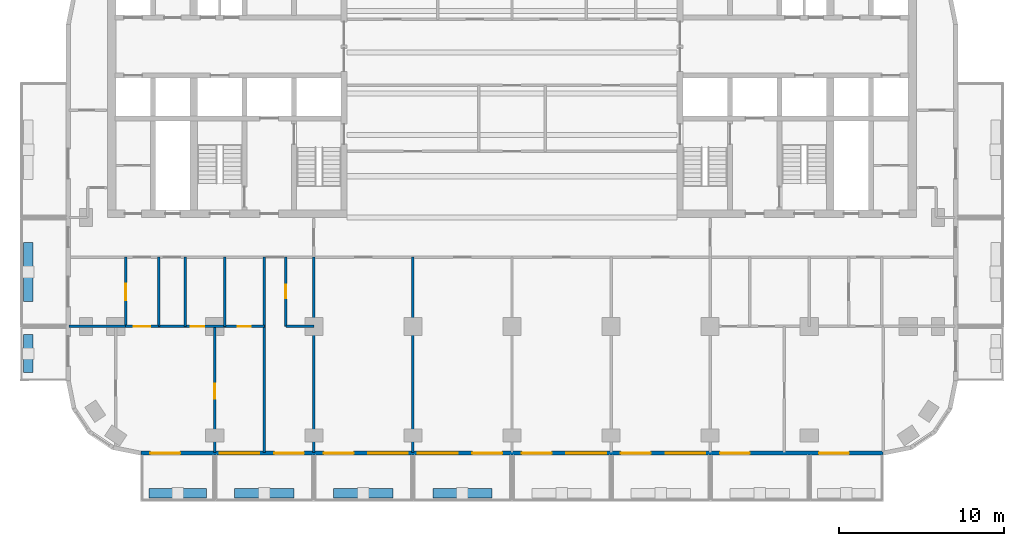
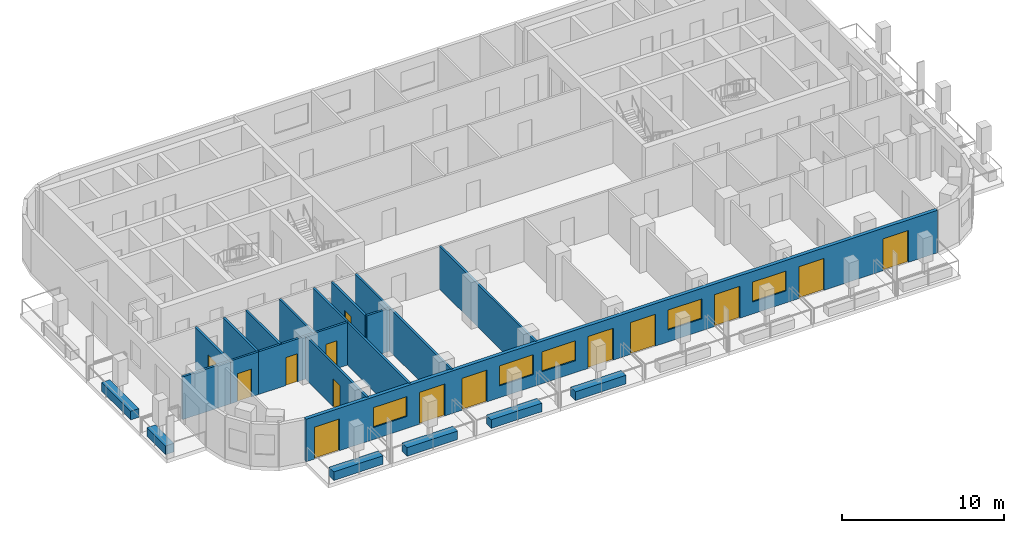
# One storey, part 2 of 11: 20 walls, 14 doors, 5 windows, 19 openings.
"""IFC4 building model written with IfcOpenShell, lengths in metres."""

from ifc_helpers import new_model, si_unit, direction, frame, frame_2d, origin, place, context, subcontext, project, spatial, rectangle, extrude, material, layer, layer_set, type_object, element, fill, save


model = new_model("IFC4")

# Units and contexts
model_context = context("Model", 3, precision=1e-05, world=origin(), true_north=direction((0.0, 1.0)))
body_context = subcontext(model_context, "Body", "Model", "MODEL_VIEW")
ifc_project = project(units=[si_unit("LENGTHUNIT", "METRE"), si_unit("AREAUNIT", "SQUARE_METRE"), si_unit("VOLUMEUNIT", "CUBIC_METRE"), si_unit("PLANEANGLEUNIT", "RADIAN"), si_unit("MASSUNIT", "GRAM", prefix="KILO")], contexts=[model_context])

# Site, building, storey
site_placement = place(None, origin())
site = spatial("IfcSite", under=ifc_project, at=site_placement, CompositionType="ELEMENT")
building_placement = place(site_placement, origin())
building = spatial("IfcBuilding", under=site, at=building_placement, Name="Torana Hotel and Residences", CompositionType="ELEMENT")
storey_placement = place(building_placement, frame((0.0, 0.0, 243.10009765625)))
storey = spatial("IfcBuildingStorey", under=building, at=storey_placement, Name="L64", CompositionType="ELEMENT", Elevation=243.10009765625)

# Wall, openings, doors, windows
ifc_material_1 = material(Name="Black aluminium composite panel", Category="aluminium")
ifc_layer_1 = layer(ifc_material_1, 0.00390625, Name="Cladding", Category="cladding")
ifc_material_2 = material(Name="Ventilated air cavity")
ifc_layer_2 = layer(ifc_material_2, 0.0400390625, Name="Ventilated cavity", Category="cavity")
ifc_material_3 = material(Name="Mineral wool insulation")
ifc_layer_3 = layer(ifc_material_3, 0.090087890625, Name="Insulation", Category="insulation")
ifc_material_4 = material(Name="Steel S280GD", Category="steel")
ifc_layer_4 = layer(ifc_material_4, 0.092041015625, Name="Steel stud frame", Category="structure")
ifc_material_5 = material(Name="Fire rated plasterboard")
ifc_layer_5 = layer(ifc_material_5, 0.011962890625, Name="Inner board", Category="finish")
ifc_layer_6 = layer(ifc_material_5, 0.011962890625, Name="Second board", Category="finish")
ifc_layer_set_1 = layer_set([ifc_layer_1, ifc_layer_2, ifc_layer_3, ifc_layer_4, ifc_layer_5, ifc_layer_6], Name="EW1 EXTERNAL WALL BLACK METAL CLAD 250")
wall_type_1 = type_object("IfcWallType", Name="EW1 EXTERNAL WALL BLACK METAL CLAD 250", PredefinedType="SOLIDWALL", material=ifc_layer_set_1)
wall_1_placement = place(storey_placement, frame((-22.475341796875, -29.27490234375, 0.0), z_axis=(0.0, 0.0, 1.0), x_axis=(1.0, 0.0, 0.0)))
wall_1 = element("IfcWall", 1, at=wall_1_placement, inside=storey, type_object=wall_type_1, Name="External wall L64 e0.14", PredefinedType="SOLIDWALL", context=body_context, shape_type="SweptSolid", body=[
    extrude(rectangle(XDim=44.95068359375, YDim=0.25, at=frame_2d((22.475341796875, 0.0))), origin(), (0.0, 0.0, 1.0), 3.199951171875),
])
opening_1_placement = place(wall_1_placement, frame((0.575439453125, 0.0, 0.0)))
opening_1 = element("IfcOpeningElement", 2, at=opening_1_placement, cuts=wall_1, Name="Opening L64-E01", PredefinedType="OPENING", context=body_context, shape_type="SweptSolid", body=[
    extrude(rectangle(XDim=1.800048828125, YDim=2.39990234375, at=frame_2d((0.89990234375, 1.199951171875))), frame((0.0, 0.135009765625, 0.0), z_axis=(0.0, -1.0, 0.0), x_axis=(1.0, 0.0, 0.0)), (0.0, 0.0, 1.0), 0.27001953125),
])
opening_2_placement = place(wall_1_placement, frame((4.775390625, 0.0, 0.89990234375)))
opening_2 = element("IfcOpeningElement", 3, at=opening_2_placement, cuts=wall_1, Name="Opening W3", PredefinedType="OPENING", context=body_context, shape_type="SweptSolid", body=[
    extrude(rectangle(XDim=2.39990234375, YDim=1.5, at=frame_2d((1.199951171875, 0.75))), frame((0.0, 0.135009765625, 0.0), z_axis=(0.0, -1.0, 0.0), x_axis=(1.0, 0.0, 0.0)), (0.0, 0.0, 1.0), 0.27001953125),
])
opening_3_placement = place(wall_1_placement, frame((8.075439453125, 0.0, 0.0)))
opening_3 = element("IfcOpeningElement", 4, at=opening_3_placement, cuts=wall_1, Name="Opening L64-E02", PredefinedType="OPENING", context=body_context, shape_type="SweptSolid", body=[
    extrude(rectangle(XDim=1.800048828125, YDim=2.39990234375, at=frame_2d((0.89990234375, 1.199951171875))), frame((0.0, 0.135009765625, 0.0), z_axis=(0.0, -1.0, 0.0), x_axis=(1.0, 0.0, 0.0)), (0.0, 0.0, 1.0), 0.27001953125),
])
opening_4_placement = place(wall_1_placement, frame((11.075439453125, 0.0, 0.0)))
opening_4 = element("IfcOpeningElement", 5, at=opening_4_placement, cuts=wall_1, Name="Opening L64-E03", PredefinedType="OPENING", context=body_context, shape_type="SweptSolid", body=[
    extrude(rectangle(XDim=1.800048828125, YDim=2.39990234375, at=frame_2d((0.89990234375, 1.199951171875))), frame((0.0, 0.135009765625, 0.0), z_axis=(0.0, -1.0, 0.0), x_axis=(1.0, 0.0, 0.0)), (0.0, 0.0, 1.0), 0.27001953125),
])
opening_5_placement = place(wall_1_placement, frame((13.775390625, 0.0, 0.89990234375)))
opening_5 = element("IfcOpeningElement", 6, at=opening_5_placement, cuts=wall_1, Name="Opening W3", PredefinedType="OPENING", context=body_context, shape_type="SweptSolid", body=[
    extrude(rectangle(XDim=2.39990234375, YDim=1.5, at=frame_2d((1.199951171875, 0.75))), frame((0.0, 0.135009765625, 0.0), z_axis=(0.0, -1.0, 0.0), x_axis=(1.0, 0.0, 0.0)), (0.0, 0.0, 1.0), 0.27001953125),
])
opening_6_placement = place(wall_1_placement, frame((16.775390625, 0.0, 0.89990234375)))
opening_6 = element("IfcOpeningElement", 7, at=opening_6_placement, cuts=wall_1, Name="Opening W3", PredefinedType="OPENING", context=body_context, shape_type="SweptSolid", body=[
    extrude(rectangle(XDim=2.39990234375, YDim=1.5, at=frame_2d((1.199951171875, 0.75))), frame((0.0, 0.135009765625, 0.0), z_axis=(0.0, -1.0, 0.0), x_axis=(1.0, 0.0, 0.0)), (0.0, 0.0, 1.0), 0.27001953125),
])
opening_7_placement = place(wall_1_placement, frame((20.075439453125, 0.0, 0.0)))
opening_7 = element("IfcOpeningElement", 8, at=opening_7_placement, cuts=wall_1, Name="Opening L64-E04", PredefinedType="OPENING", context=body_context, shape_type="SweptSolid", body=[
    extrude(rectangle(XDim=1.800048828125, YDim=2.39990234375, at=frame_2d((0.89990234375, 1.199951171875))), frame((0.0, 0.135009765625, 0.0), z_axis=(0.0, -1.0, 0.0), x_axis=(1.0, 0.0, 0.0)), (0.0, 0.0, 1.0), 0.27001953125),
])
opening_8_placement = place(wall_1_placement, frame((23.075439453125, 0.0, 0.0)))
opening_8 = element("IfcOpeningElement", 9, at=opening_8_placement, cuts=wall_1, Name="Opening L64-E05", PredefinedType="OPENING", context=body_context, shape_type="SweptSolid", body=[
    extrude(rectangle(XDim=1.800048828125, YDim=2.39990234375, at=frame_2d((0.89990234375, 1.199951171875))), frame((0.0, 0.135009765625, 0.0), z_axis=(0.0, -1.0, 0.0), x_axis=(1.0, 0.0, 0.0)), (0.0, 0.0, 1.0), 0.27001953125),
])
opening_9_placement = place(wall_1_placement, frame((25.775390625, 0.0, 0.89990234375)))
opening_9 = element("IfcOpeningElement", 10, at=opening_9_placement, cuts=wall_1, Name="Opening W3", PredefinedType="OPENING", context=body_context, shape_type="SweptSolid", body=[
    extrude(rectangle(XDim=2.39990234375, YDim=1.5, at=frame_2d((1.199951171875, 0.75))), frame((0.0, 0.135009765625, 0.0), z_axis=(0.0, -1.0, 0.0), x_axis=(1.0, 0.0, 0.0)), (0.0, 0.0, 1.0), 0.27001953125),
])
opening_10_placement = place(wall_1_placement, frame((29.075439453125, 0.0, 0.0)))
opening_10 = element("IfcOpeningElement", 11, at=opening_10_placement, cuts=wall_1, Name="Opening L64-E06", PredefinedType="OPENING", context=body_context, shape_type="SweptSolid", body=[
    extrude(rectangle(XDim=1.800048828125, YDim=2.39990234375, at=frame_2d((0.89990234375, 1.199951171875))), frame((0.0, 0.135009765625, 0.0), z_axis=(0.0, -1.0, 0.0), x_axis=(1.0, 0.0, 0.0)), (0.0, 0.0, 1.0), 0.27001953125),
])
opening_11_placement = place(wall_1_placement, frame((31.775390625, 0.0, 0.89990234375)))
opening_11 = element("IfcOpeningElement", 12, at=opening_11_placement, cuts=wall_1, Name="Opening W3", PredefinedType="OPENING", context=body_context, shape_type="SweptSolid", body=[
    extrude(rectangle(XDim=2.39990234375, YDim=1.5, at=frame_2d((1.199951171875, 0.75))), frame((0.0, 0.135009765625, 0.0), z_axis=(0.0, -1.0, 0.0), x_axis=(1.0, 0.0, 0.0)), (0.0, 0.0, 1.0), 0.27001953125),
])
opening_12_placement = place(wall_1_placement, frame((35.075439453125, 0.0, 0.0)))
opening_12 = element("IfcOpeningElement", 13, at=opening_12_placement, cuts=wall_1, Name="Opening L64-E07", PredefinedType="OPENING", context=body_context, shape_type="SweptSolid", body=[
    extrude(rectangle(XDim=1.800048828125, YDim=2.39990234375, at=frame_2d((0.89990234375, 1.199951171875))), frame((0.0, 0.135009765625, 0.0), z_axis=(0.0, -1.0, 0.0), x_axis=(1.0, 0.0, 0.0)), (0.0, 0.0, 1.0), 0.27001953125),
])
opening_13_placement = place(wall_1_placement, frame((41.075439453125, 0.0, 0.0)))
opening_13 = element("IfcOpeningElement", 14, at=opening_13_placement, cuts=wall_1, Name="Opening L64-E08", PredefinedType="OPENING", context=body_context, shape_type="SweptSolid", body=[
    extrude(rectangle(XDim=1.800048828125, YDim=2.39990234375, at=frame_2d((0.89990234375, 1.199951171875))), frame((0.0, 0.135009765625, 0.0), z_axis=(0.0, -1.0, 0.0), x_axis=(1.0, 0.0, 0.0)), (0.0, 0.0, 1.0), 0.27001953125),
])
ifc_material_6 = material(Name="Dark glass in black aluminium frame", Category="aluminium")
door_type_1 = type_object("IfcDoorType", Name="DB1 BALCONY DOOR 1800x2400", OperationType="DOUBLE_DOOR_SINGLE_SWING", PredefinedType="DOOR", material=ifc_material_6)
door_1_placement = place(opening_1_placement, origin())
door_1 = element("IfcDoor", 15, at=door_1_placement, inside=storey, type_object=door_type_1, Name="Balcony door L64", OperationType="DOUBLE_DOOR_SINGLE_SWING", OverallHeight=2.39990234375, OverallWidth=1.800048828125, PredefinedType="DOOR", context=body_context, shape_type="SweptSolid", body=[
    extrude(rectangle(XDim=1.800048828125, YDim=2.39990234375, at=frame_2d((0.89990234375, 1.199951171875))), frame((0.0, 0.02490234375, 0.0), z_axis=(0.0, -1.0, 0.0), x_axis=(1.0, 0.0, 0.0)), (0.0, 0.0, 1.0), 0.050048828125),
])
fill(opening_1, door_1)
door_2_placement = place(opening_3_placement, origin())
door_2 = element("IfcDoor", 16, at=door_2_placement, inside=storey, type_object=door_type_1, Name="Balcony door L64", OperationType="DOUBLE_DOOR_SINGLE_SWING", OverallHeight=2.39990234375, OverallWidth=1.800048828125, PredefinedType="DOOR", context=body_context, shape_type="SweptSolid", body=[
    extrude(rectangle(XDim=1.800048828125, YDim=2.39990234375, at=frame_2d((0.89990234375, 1.199951171875))), frame((0.0, 0.02490234375, 0.0), z_axis=(0.0, -1.0, 0.0), x_axis=(1.0, 0.0, 0.0)), (0.0, 0.0, 1.0), 0.050048828125),
])
fill(opening_3, door_2)
door_3_placement = place(opening_4_placement, origin())
door_3 = element("IfcDoor", 17, at=door_3_placement, inside=storey, type_object=door_type_1, Name="Balcony door L64", OperationType="DOUBLE_DOOR_SINGLE_SWING", OverallHeight=2.39990234375, OverallWidth=1.800048828125, PredefinedType="DOOR", context=body_context, shape_type="SweptSolid", body=[
    extrude(rectangle(XDim=1.800048828125, YDim=2.39990234375, at=frame_2d((0.89990234375, 1.199951171875))), frame((0.0, 0.02490234375, 0.0), z_axis=(0.0, -1.0, 0.0), x_axis=(1.0, 0.0, 0.0)), (0.0, 0.0, 1.0), 0.050048828125),
])
fill(opening_4, door_3)
door_4_placement = place(opening_7_placement, origin())
door_4 = element("IfcDoor", 18, at=door_4_placement, inside=storey, type_object=door_type_1, Name="Balcony door L64", OperationType="DOUBLE_DOOR_SINGLE_SWING", OverallHeight=2.39990234375, OverallWidth=1.800048828125, PredefinedType="DOOR", context=body_context, shape_type="SweptSolid", body=[
    extrude(rectangle(XDim=1.800048828125, YDim=2.39990234375, at=frame_2d((0.89990234375, 1.199951171875))), frame((0.0, 0.02490234375, 0.0), z_axis=(0.0, -1.0, 0.0), x_axis=(1.0, 0.0, 0.0)), (0.0, 0.0, 1.0), 0.050048828125),
])
fill(opening_7, door_4)
door_5_placement = place(opening_8_placement, origin())
door_5 = element("IfcDoor", 19, at=door_5_placement, inside=storey, type_object=door_type_1, Name="Balcony door L64", OperationType="DOUBLE_DOOR_SINGLE_SWING", OverallHeight=2.39990234375, OverallWidth=1.800048828125, PredefinedType="DOOR", context=body_context, shape_type="SweptSolid", body=[
    extrude(rectangle(XDim=1.800048828125, YDim=2.39990234375, at=frame_2d((0.89990234375, 1.199951171875))), frame((0.0, 0.02490234375, 0.0), z_axis=(0.0, -1.0, 0.0), x_axis=(1.0, 0.0, 0.0)), (0.0, 0.0, 1.0), 0.050048828125),
])
fill(opening_8, door_5)
door_6_placement = place(opening_10_placement, origin())
door_6 = element("IfcDoor", 20, at=door_6_placement, inside=storey, type_object=door_type_1, Name="Balcony door L64", OperationType="DOUBLE_DOOR_SINGLE_SWING", OverallHeight=2.39990234375, OverallWidth=1.800048828125, PredefinedType="DOOR", context=body_context, shape_type="SweptSolid", body=[
    extrude(rectangle(XDim=1.800048828125, YDim=2.39990234375, at=frame_2d((0.89990234375, 1.199951171875))), frame((0.0, 0.02490234375, 0.0), z_axis=(0.0, -1.0, 0.0), x_axis=(1.0, 0.0, 0.0)), (0.0, 0.0, 1.0), 0.050048828125),
])
fill(opening_10, door_6)
door_7_placement = place(opening_12_placement, origin())
door_7 = element("IfcDoor", 21, at=door_7_placement, inside=storey, type_object=door_type_1, Name="Balcony door L64", OperationType="DOUBLE_DOOR_SINGLE_SWING", OverallHeight=2.39990234375, OverallWidth=1.800048828125, PredefinedType="DOOR", context=body_context, shape_type="SweptSolid", body=[
    extrude(rectangle(XDim=1.800048828125, YDim=2.39990234375, at=frame_2d((0.89990234375, 1.199951171875))), frame((0.0, 0.02490234375, 0.0), z_axis=(0.0, -1.0, 0.0), x_axis=(1.0, 0.0, 0.0)), (0.0, 0.0, 1.0), 0.050048828125),
])
fill(opening_12, door_7)
door_8_placement = place(opening_13_placement, origin())
door_8 = element("IfcDoor", 22, at=door_8_placement, inside=storey, type_object=door_type_1, Name="Balcony door L64", OperationType="DOUBLE_DOOR_SINGLE_SWING", OverallHeight=2.39990234375, OverallWidth=1.800048828125, PredefinedType="DOOR", context=body_context, shape_type="SweptSolid", body=[
    extrude(rectangle(XDim=1.800048828125, YDim=2.39990234375, at=frame_2d((0.89990234375, 1.199951171875))), frame((0.0, 0.02490234375, 0.0), z_axis=(0.0, -1.0, 0.0), x_axis=(1.0, 0.0, 0.0)), (0.0, 0.0, 1.0), 0.050048828125),
])
fill(opening_13, door_8)
ifc_material_7 = material(Name="Dark glass in black aluminium frame", Category="aluminium")
window_type = type_object("IfcWindowType", Name="W3 RESIDENCE WINDOW 2400x1500", PartitioningType="SINGLE_PANEL", PredefinedType="WINDOW", material=ifc_material_7)
window_1_placement = place(opening_2_placement, origin())
window_1 = element("IfcWindow", 23, at=window_1_placement, inside=storey, type_object=window_type, Name="Window L64", OverallHeight=1.5, OverallWidth=2.39990234375, PartitioningType="SINGLE_PANEL", PredefinedType="WINDOW", context=body_context, shape_type="SweptSolid", body=[
    extrude(rectangle(XDim=2.39990234375, YDim=1.5, at=frame_2d((1.199951171875, 0.75))), frame((0.0, 0.030029296875, 0.0), z_axis=(0.0, -1.0, 0.0), x_axis=(1.0, 0.0, 0.0)), (0.0, 0.0, 1.0), 0.06005859375),
])
fill(opening_2, window_1)
window_2_placement = place(opening_5_placement, origin())
window_2 = element("IfcWindow", 24, at=window_2_placement, inside=storey, type_object=window_type, Name="Window L64", OverallHeight=1.5, OverallWidth=2.39990234375, PartitioningType="SINGLE_PANEL", PredefinedType="WINDOW", context=body_context, shape_type="SweptSolid", body=[
    extrude(rectangle(XDim=2.39990234375, YDim=1.5, at=frame_2d((1.199951171875, 0.75))), frame((0.0, 0.030029296875, 0.0), z_axis=(0.0, -1.0, 0.0), x_axis=(1.0, 0.0, 0.0)), (0.0, 0.0, 1.0), 0.06005859375),
])
fill(opening_5, window_2)
window_3_placement = place(opening_6_placement, origin())
window_3 = element("IfcWindow", 25, at=window_3_placement, inside=storey, type_object=window_type, Name="Window L64", OverallHeight=1.5, OverallWidth=2.39990234375, PartitioningType="SINGLE_PANEL", PredefinedType="WINDOW", context=body_context, shape_type="SweptSolid", body=[
    extrude(rectangle(XDim=2.39990234375, YDim=1.5, at=frame_2d((1.199951171875, 0.75))), frame((0.0, 0.030029296875, 0.0), z_axis=(0.0, -1.0, 0.0), x_axis=(1.0, 0.0, 0.0)), (0.0, 0.0, 1.0), 0.06005859375),
])
fill(opening_6, window_3)
window_4_placement = place(opening_9_placement, origin())
window_4 = element("IfcWindow", 26, at=window_4_placement, inside=storey, type_object=window_type, Name="Window L64", OverallHeight=1.5, OverallWidth=2.39990234375, PartitioningType="SINGLE_PANEL", PredefinedType="WINDOW", context=body_context, shape_type="SweptSolid", body=[
    extrude(rectangle(XDim=2.39990234375, YDim=1.5, at=frame_2d((1.199951171875, 0.75))), frame((0.0, 0.030029296875, 0.0), z_axis=(0.0, -1.0, 0.0), x_axis=(1.0, 0.0, 0.0)), (0.0, 0.0, 1.0), 0.06005859375),
])
fill(opening_9, window_4)
window_5_placement = place(opening_11_placement, origin())
window_5 = element("IfcWindow", 27, at=window_5_placement, inside=storey, type_object=window_type, Name="Window L64", OverallHeight=1.5, OverallWidth=2.39990234375, PartitioningType="SINGLE_PANEL", PredefinedType="WINDOW", context=body_context, shape_type="SweptSolid", body=[
    extrude(rectangle(XDim=2.39990234375, YDim=1.5, at=frame_2d((1.199951171875, 0.75))), frame((0.0, 0.030029296875, 0.0), z_axis=(0.0, -1.0, 0.0), x_axis=(1.0, 0.0, 0.0)), (0.0, 0.0, 1.0), 0.06005859375),
])
fill(opening_11, window_5)

# Wall
ifc_material_8 = material(Name="Gypsum plaster")
ifc_layer_7 = layer(ifc_material_8, 0.014892578125, Name="Plaster", Category="finish")
ifc_material_9 = material(Name="Concrete blockwork", Category="masonry")
ifc_layer_8 = layer(ifc_material_9, 0.1201171875, Name="Blockwork", Category="structure")
ifc_layer_9 = layer(ifc_material_8, 0.014892578125, Name="Plaster", Category="finish")
ifc_layer_set_2 = layer_set([ifc_layer_7, ifc_layer_8, ifc_layer_9], Name="FIRE PARTITION 150 BLOCKWORK")
wall_type_2 = type_object("IfcWallType", Name="FIRE PARTITION 150 BLOCKWORK", PredefinedType="PARTITIONING", material=ifc_layer_set_2)
wall_2_placement = place(storey_placement, frame((-21.39990234375, -21.60009765625, 0.0), z_axis=(0.0, 0.0, 1.0), x_axis=(0.0, 1.0, 0.0)))
element("IfcWall", 28, at=wall_2_placement, inside=storey, type_object=wall_type_2, Name="Partition L64", PredefinedType="PARTITIONING", context=body_context, shape_type="SweptSolid", body=[
    extrude(rectangle(XDim=4.2001953125, YDim=0.14990234375, at=frame_2d((2.10009765625, 0.0))), origin(), (0.0, 0.0, 1.0), 3.219970703125),
])

# Wall, opening, door
wall_3_placement = place(storey_placement, frame((-23.39990234375, -21.60009765625, 0.0), z_axis=(0.0, 0.0, 1.0), x_axis=(0.0, 1.0, 0.0)))
wall_3 = element("IfcWall", 29, at=wall_3_placement, inside=storey, type_object=wall_type_2, Name="Partition L64", PredefinedType="PARTITIONING", context=body_context, shape_type="SweptSolid", body=[
    extrude(rectangle(XDim=4.2001953125, YDim=0.14990234375, at=frame_2d((2.10009765625, 0.0))), origin(), (0.0, 0.0, 1.0), 3.219970703125),
])
opening_14_placement = place(wall_3_placement, frame((1.580078125, 0.0, 0.0)))
opening_14 = element("IfcOpeningElement", 30, at=opening_14_placement, cuts=wall_3, Name="Opening L64-52", PredefinedType="OPENING", context=body_context, shape_type="SweptSolid", body=[
    extrude(rectangle(XDim=1.0, YDim=2.10009765625, at=frame_2d((0.5, 1.050048828125))), frame((0.0, 0.0849609375, 0.0), z_axis=(0.0, -1.0, 0.0), x_axis=(1.0, 0.0, 0.0)), (0.0, 0.0, 1.0), 0.169921875),
])
ifc_material_10 = material(Name="Steel S235", Category="steel")
door_type_2 = type_object("IfcDoorType", Name="ENTRY FIRE DOOR D6 1000x2100", OperationType="SINGLE_SWING_LEFT", PredefinedType="DOOR", material=ifc_material_10)
door_9_placement = place(opening_14_placement, origin())
door_9 = element("IfcDoor", 31, at=door_9_placement, inside=storey, type_object=door_type_2, Name="Door L64", OperationType="SINGLE_SWING_RIGHT", OverallHeight=2.10009765625, OverallWidth=1.0, PredefinedType="DOOR", context=body_context, shape_type="SweptSolid", body=[
    extrude(rectangle(XDim=1.0, YDim=2.10009765625, at=frame_2d((0.5, 1.050048828125))), frame((0.0, 0.02490234375, 0.0), z_axis=(0.0, -1.0, 0.0), x_axis=(1.0, 0.0, 0.0)), (0.0, 0.0, 1.0), 0.050048828125),
])
fill(opening_14, door_9)

wall_4_placement = place(storey_placement, frame((-23.39990234375, -21.60009765625, 0.0), z_axis=(0.0, 0.0, 1.0), x_axis=(1.0, 0.0, 0.0)))
wall_4 = element("IfcWall", 32, at=wall_4_placement, inside=storey, type_object=wall_type_2, Name="Partition L64", PredefinedType="PARTITIONING", context=body_context, shape_type="SweptSolid", body=[
    extrude(rectangle(XDim=2.0, YDim=0.14990234375, at=frame_2d((1.0, 0.0))), origin(), (0.0, 0.0, 1.0), 3.219970703125),
])
opening_15_placement = place(wall_4_placement, frame((0.47998046875, 0.0, 0.0)))
opening_15 = element("IfcOpeningElement", 33, at=opening_15_placement, cuts=wall_4, Name="Opening L64-53", PredefinedType="OPENING", context=body_context, shape_type="SweptSolid", body=[
    extrude(rectangle(XDim=1.0, YDim=2.10009765625, at=frame_2d((0.5, 1.050048828125))), frame((0.0, 0.0849609375, 0.0), z_axis=(0.0, -1.0, 0.0), x_axis=(1.0, 0.0, 0.0)), (0.0, 0.0, 1.0), 0.169921875),
])
door_10_placement = place(opening_15_placement, frame((0.5, 0.0, 0.0), z_axis=(0.0, 0.0, 1.0), x_axis=(-1.0, 0.0, 0.0)))
door_10 = element("IfcDoor", 34, at=door_10_placement, inside=storey, type_object=door_type_2, Name="Door L64", OperationType="SINGLE_SWING_LEFT", OverallHeight=2.10009765625, OverallWidth=1.0, PredefinedType="DOOR", context=body_context, shape_type="SweptSolid", body=[
    extrude(rectangle(XDim=1.0, YDim=2.10009765625, at=frame_2d((0.0, 1.050048828125))), frame((0.0, -0.02490234375, 0.0), z_axis=(0.0, 1.0, 0.0), x_axis=(-1.0, 0.0, 0.0)), (0.0, 0.0, 1.0), 0.050048828125),
])
fill(opening_15, door_10)

# Walls
ifc_material_11 = material(Name="Gypsum plasterboard")
ifc_layer_10 = layer(ifc_material_11, 0.012451171875, Name="Plasterboard", Category="finish")
ifc_layer_11 = layer(ifc_material_11, 0.012451171875, Name="Plasterboard", Category="finish")
ifc_layer_12 = layer(ifc_material_4, 0.10009765625, Name="Steel studs with mineral wool", Category="insulation")
ifc_layer_13 = layer(ifc_material_11, 0.012451171875, Name="Plasterboard", Category="finish")
ifc_layer_14 = layer(ifc_material_11, 0.012451171875, Name="Plasterboard", Category="finish")
ifc_layer_set_3 = layer_set([ifc_layer_10, ifc_layer_11, ifc_layer_12, ifc_layer_13, ifc_layer_14], Name="PARTITION 150 PLASTERBOARD")
wall_type_3 = type_object("IfcWallType", Name="PARTITION 150 PLASTERBOARD", PredefinedType="PARTITIONING", material=ifc_layer_set_3)
for number, where, z_axis, x_axis, name in (
    (35, (-6.0, -29.219970703125, 0.0), (0.0, 0.0, 1.0), (0.0, 1.0, 0.0), "Partition L64"),
    (36, (-12.0, -29.219970703125, 0.0), (0.0, 0.0, 1.0), (0.0, 1.0, 0.0), "Partition L64"),
):
    element("IfcWall", number, at=place(storey_placement, frame(where, z_axis=z_axis, x_axis=x_axis)), inside=storey, type_object=wall_type_3, Name=name, PredefinedType="PARTITIONING", context=body_context, shape_type="SweptSolid", body=[
        extrude(rectangle(XDim=11.820068359375, YDim=0.14990234375, at=frame_2d((5.91015625, 0.0))), origin(), (0.0, 0.0, 1.0), 3.219970703125),
    ])

# Wall, opening, door
wall_5_placement = place(storey_placement, frame((-13.699951171875, -21.60009765625, 0.0), z_axis=(0.0, 0.0, 1.0), x_axis=(0.0, 1.0, 0.0)))
wall_5 = element("IfcWall", 37, at=wall_5_placement, inside=storey, type_object=wall_type_3, Name="Partition L64", PredefinedType="PARTITIONING", context=body_context, shape_type="SweptSolid", body=[
    extrude(rectangle(XDim=4.2001953125, YDim=0.14990234375, at=frame_2d((2.10009765625, 0.0))), origin(), (0.0, 0.0, 1.0), 3.219970703125),
])
opening_16_placement = place(wall_5_placement, frame((1.719970703125, 0.0, 0.0)))
opening_16 = element("IfcOpeningElement", 38, at=opening_16_placement, cuts=wall_5, Name="Opening L64-49", PredefinedType="OPENING", context=body_context, shape_type="SweptSolid", body=[
    extrude(rectangle(XDim=0.800048828125, YDim=2.10009765625, at=frame_2d((0.39990234375, 1.050048828125))), frame((0.0, 0.0849609375, 0.0), z_axis=(0.0, -1.0, 0.0), x_axis=(1.0, 0.0, 0.0)), (0.0, 0.0, 1.0), 0.169921875),
])
ifc_material_12 = material(Name="Timber door, painted", Category="wood")
door_type_3 = type_object("IfcDoorType", Name="BATH DOOR D13 800x2100", OperationType="SINGLE_SWING_LEFT", PredefinedType="DOOR", material=ifc_material_12)
door_11_placement = place(opening_16_placement, origin())
door_11 = element("IfcDoor", 39, at=door_11_placement, inside=storey, type_object=door_type_3, Name="Door L64", OperationType="SINGLE_SWING_RIGHT", OverallHeight=2.10009765625, OverallWidth=0.800048828125, PredefinedType="DOOR", context=body_context, shape_type="SweptSolid", body=[
    extrude(rectangle(XDim=0.800048828125, YDim=2.10009765625, at=frame_2d((0.39990234375, 1.050048828125))), frame((0.0, 0.02490234375, 0.0), z_axis=(0.0, -1.0, 0.0), x_axis=(1.0, 0.0, 0.0)), (0.0, 0.0, 1.0), 0.050048828125),
])
fill(opening_16, door_11)

# Walls
wall_6_placement = place(storey_placement, frame((-15.0, -29.219970703125, 0.0), z_axis=(0.0, 0.0, 1.0), x_axis=(0.0, 1.0, 0.0)))
element("IfcWall", 40, at=wall_6_placement, inside=storey, type_object=wall_type_3, Name="Partition L64", PredefinedType="PARTITIONING", context=body_context, shape_type="SweptSolid", body=[
    extrude(rectangle(XDim=11.820068359375, YDim=0.14990234375, at=frame_2d((5.91015625, 0.0))), origin(), (0.0, 0.0, 1.0), 3.219970703125),
])
wall_7_placement = place(storey_placement, frame((-17.39990234375, -21.60009765625, 0.0), z_axis=(0.0, 0.0, 1.0), x_axis=(0.0, 1.0, 0.0)))
element("IfcWall", 41, at=wall_7_placement, inside=storey, type_object=wall_type_3, Name="Partition L64", PredefinedType="PARTITIONING", context=body_context, shape_type="SweptSolid", body=[
    extrude(rectangle(XDim=4.2001953125, YDim=0.14990234375, at=frame_2d((2.10009765625, 0.0))), origin(), (0.0, 0.0, 1.0), 3.219970703125),
])

# Wall, opening, door
wall_8_placement = place(storey_placement, frame((-18.0, -29.219970703125, 0.0), z_axis=(0.0, 0.0, 1.0), x_axis=(0.0, 1.0, 0.0)))
wall_8 = element("IfcWall", 42, at=wall_8_placement, inside=storey, type_object=wall_type_3, Name="Partition L64", PredefinedType="PARTITIONING", context=body_context, shape_type="SweptSolid", body=[
    extrude(rectangle(XDim=7.619873046875, YDim=0.14990234375, at=frame_2d((3.81005859375, 0.0))), origin(), (0.0, 0.0, 1.0), 3.219970703125),
])
opening_17_placement = place(wall_8_placement, frame((3.25, 0.0, 0.0)))
opening_17 = element("IfcOpeningElement", 43, at=opening_17_placement, cuts=wall_8, Name="Opening L64-54", PredefinedType="OPENING", context=body_context, shape_type="SweptSolid", body=[
    extrude(rectangle(XDim=0.89990234375, YDim=2.10009765625, at=frame_2d((0.449951171875, 1.050048828125))), frame((0.0, 0.0849609375, 0.0), z_axis=(0.0, -1.0, 0.0), x_axis=(1.0, 0.0, 0.0)), (0.0, 0.0, 1.0), 0.169921875),
])
ifc_material_13 = material(Name="Timber door, oiled ash", Category="wood")
door_type_4 = type_object("IfcDoorType", Name="ROOM DOOR D7 900x2100", OperationType="SINGLE_SWING_LEFT", PredefinedType="DOOR", material=ifc_material_13)
door_12_placement = place(opening_17_placement, origin())
door_12 = element("IfcDoor", 44, at=door_12_placement, inside=storey, type_object=door_type_4, Name="Door L64", OperationType="SINGLE_SWING_RIGHT", OverallHeight=2.10009765625, OverallWidth=0.89990234375, PredefinedType="DOOR", context=body_context, shape_type="SweptSolid", body=[
    extrude(rectangle(XDim=0.89990234375, YDim=2.10009765625, at=frame_2d((0.449951171875, 1.050048828125))), frame((0.0, 0.02490234375, 0.0), z_axis=(0.0, -1.0, 0.0), x_axis=(1.0, 0.0, 0.0)), (0.0, 0.0, 1.0), 0.050048828125),
])
fill(opening_17, door_12)

# Walls
wall_9_placement = place(storey_placement, frame((-19.800048828125, -21.60009765625, 0.0), z_axis=(0.0, 0.0, 1.0), x_axis=(0.0, 1.0, 0.0)))
element("IfcWall", 45, at=wall_9_placement, inside=storey, type_object=wall_type_3, Name="Partition L64", PredefinedType="PARTITIONING", context=body_context, shape_type="SweptSolid", body=[
    extrude(rectangle(XDim=4.2001953125, YDim=0.14990234375, at=frame_2d((2.10009765625, 0.0))), origin(), (0.0, 0.0, 1.0), 3.219970703125),
])
wall_10_placement = place(storey_placement, frame((-26.820068359375, -21.60009765625, 0.0), z_axis=(0.0, 0.0, 1.0), x_axis=(1.0, 0.0, 0.0)))
element("IfcWall", 46, at=wall_10_placement, inside=storey, type_object=wall_type_3, Name="Partition L64", PredefinedType="PARTITIONING", context=body_context, shape_type="SweptSolid", body=[
    extrude(rectangle(XDim=3.420166015625, YDim=0.14990234375, at=frame_2d((1.7099609375, 0.0))), origin(), (0.0, 0.0, 1.0), 3.219970703125),
])

# Wall, openings, doors
wall_11_placement = place(storey_placement, frame((-21.39990234375, -21.60009765625, 0.0), z_axis=(0.0, 0.0, 1.0), x_axis=(1.0, 0.0, 0.0)))
wall_11 = element("IfcWall", 47, at=wall_11_placement, inside=storey, type_object=wall_type_3, Name="Partition L64", PredefinedType="PARTITIONING", context=body_context, shape_type="SweptSolid", body=[
    extrude(rectangle(XDim=6.39990234375, YDim=0.14990234375, at=frame_2d((3.199951171875, 0.0))), origin(), (0.0, 0.0, 1.0), 3.219970703125),
])
opening_18_placement = place(wall_11_placement, frame((4.780029296875, 0.0, 0.0)))
opening_18 = element("IfcOpeningElement", 48, at=opening_18_placement, cuts=wall_11, Name="Opening L64-50", PredefinedType="OPENING", context=body_context, shape_type="SweptSolid", body=[
    extrude(rectangle(XDim=0.800048828125, YDim=2.10009765625, at=frame_2d((0.39990234375, 1.050048828125))), frame((0.0, 0.0849609375, 0.0), z_axis=(0.0, -1.0, 0.0), x_axis=(1.0, 0.0, 0.0)), (0.0, 0.0, 1.0), 0.169921875),
])
opening_19_placement = place(wall_11_placement, frame((1.949951171875, 0.0, 0.0)))
opening_19 = element("IfcOpeningElement", 49, at=opening_19_placement, cuts=wall_11, Name="Opening L64-51", PredefinedType="OPENING", context=body_context, shape_type="SweptSolid", body=[
    extrude(rectangle(XDim=0.800048828125, YDim=2.10009765625, at=frame_2d((0.39990234375, 1.050048828125))), frame((0.0, 0.0849609375, 0.0), z_axis=(0.0, -1.0, 0.0), x_axis=(1.0, 0.0, 0.0)), (0.0, 0.0, 1.0), 0.169921875),
])
door_13_placement = place(opening_18_placement, origin())
door_13 = element("IfcDoor", 50, at=door_13_placement, inside=storey, type_object=door_type_3, Name="Door L64", OperationType="SINGLE_SWING_RIGHT", OverallHeight=2.10009765625, OverallWidth=0.800048828125, PredefinedType="DOOR", context=body_context, shape_type="SweptSolid", body=[
    extrude(rectangle(XDim=0.800048828125, YDim=2.10009765625, at=frame_2d((0.39990234375, 1.050048828125))), frame((0.0, 0.02490234375, 0.0), z_axis=(0.0, -1.0, 0.0), x_axis=(1.0, 0.0, 0.0)), (0.0, 0.0, 1.0), 0.050048828125),
])
fill(opening_18, door_13)
door_14_placement = place(opening_19_placement, origin())
door_14 = element("IfcDoor", 51, at=door_14_placement, inside=storey, type_object=door_type_3, Name="Door L64", OperationType="SINGLE_SWING_LEFT", OverallHeight=2.10009765625, OverallWidth=0.800048828125, PredefinedType="DOOR", context=body_context, shape_type="SweptSolid", body=[
    extrude(rectangle(XDim=0.800048828125, YDim=2.10009765625, at=frame_2d((0.39990234375, 1.050048828125))), frame((0.0, 0.02490234375, 0.0), z_axis=(0.0, -1.0, 0.0), x_axis=(1.0, 0.0, 0.0)), (0.0, 0.0, 1.0), 0.050048828125),
])
fill(opening_19, door_14)

# Walls
wall_12_placement = place(storey_placement, frame((-13.699951171875, -21.60009765625, 0.0), z_axis=(0.0, 0.0, 1.0), x_axis=(1.0, 0.0, 0.0)))
element("IfcWall", 52, at=wall_12_placement, inside=storey, type_object=wall_type_3, Name="Partition L64", PredefinedType="PARTITIONING", context=body_context, shape_type="SweptSolid", body=[
    extrude(rectangle(XDim=1.699951171875, YDim=0.14990234375, at=frame_2d((0.85009765625, 0.0))), origin(), (0.0, 0.0, 1.0), 3.219970703125),
])
ifc_material_14 = material(Name="Concrete C40/50 precast", Category="concrete")
ifc_layer_15 = layer(ifc_material_14, 0.10009765625, Name="Planter shell", Category="structure")
ifc_material_15 = material(Name="Root resistant membrane")
ifc_layer_16 = layer(ifc_material_15, 0.00390625, Name="Waterproofing membrane", Category="membrane")
ifc_material_16 = material(Name="Drainage board with filter fleece")
ifc_layer_17 = layer(ifc_material_16, 0.02001953125, Name="Drainage board", Category="drainage")
ifc_material_17 = material(Name="Growing medium")
ifc_layer_18 = layer(ifc_material_17, 0.47607421875, Name="Planting substrate", Category="soil")
ifc_layer_set_4 = layer_set([ifc_layer_15, ifc_layer_16, ifc_layer_17, ifc_layer_18], Name="PL1 BALCONY PLANTER 600")
wall_type_4 = type_object("IfcWallType", Name="PL1 BALCONY PLANTER 600", PredefinedType="USERDEFINED", material=ifc_layer_set_4)
wall_13_placement = place(storey_placement, frame((-18.5, -31.699951171875, 0.0), z_axis=(0.0, 0.0, 1.0), x_axis=(-1.0, 0.0, 0.0)))
element("IfcWall", 53, at=wall_13_placement, inside=storey, type_object=wall_type_4, Name="Planter 01", ObjectType="PLANTER", PredefinedType="USERDEFINED", context=body_context, shape_type="SweptSolid", body=[
    extrude(rectangle(XDim=3.5, YDim=0.60009765625, at=frame_2d((1.75, 0.0))), origin(), (0.0, 0.0, 1.0), 0.64990234375),
])
for number, where, z_axis, x_axis, name in (
    (54, (-13.199951171875, -31.699951171875, 0.0), (0.0, 0.0, 1.0), (-1.0, 0.0, 0.0), "Planter 02"),
    (55, (-7.199951171875, -31.699951171875, 0.0), (0.0, 0.0, 1.0), (-1.0, 0.0, 0.0), "Planter 03"),
    (56, (-1.199951171875, -31.699951171875, 0.0), (0.0, 0.0, 1.0), (-1.0, 0.0, 0.0), "Planter 04"),
):
    element("IfcWall", number, at=place(storey_placement, frame(where, z_axis=z_axis, x_axis=x_axis)), inside=storey, type_object=wall_type_4, Name=name, ObjectType="PLANTER", PredefinedType="USERDEFINED", context=body_context, shape_type="SweptSolid", body=[
        extrude(rectangle(XDim=3.60009765625, YDim=0.60009765625, at=frame_2d((1.800048828125, 0.0))), origin(), (0.0, 0.0, 1.0), 0.64990234375),
    ])
wall_14_placement = place(storey_placement, frame((-29.300048828125, -24.39990234375, 0.0), z_axis=(0.0, 0.0, 1.0), x_axis=(0.0, 1.0, 0.0)))
element("IfcWall", 57, at=wall_14_placement, inside=storey, type_object=wall_type_4, Name="Planter 09", ObjectType="PLANTER", PredefinedType="USERDEFINED", context=body_context, shape_type="SweptSolid", body=[
    extrude(rectangle(XDim=2.2998046875, YDim=0.60009765625, at=frame_2d((1.14990234375, 0.0))), origin(), (0.0, 0.0, 1.0), 0.64990234375),
])
wall_15_placement = place(storey_placement, frame((-29.300048828125, -20.10009765625, 0.0), z_axis=(0.0, 0.0, 1.0), x_axis=(0.0, 1.0, 0.0)))
element("IfcWall", 58, at=wall_15_placement, inside=storey, type_object=wall_type_4, Name="Planter 10", ObjectType="PLANTER", PredefinedType="USERDEFINED", context=body_context, shape_type="SweptSolid", body=[
    extrude(rectangle(XDim=3.60009765625, YDim=0.60009765625, at=frame_2d((1.800048828125, 0.0))), origin(), (0.0, 0.0, 1.0), 0.64990234375),
])

save(model, "model.ifc")
